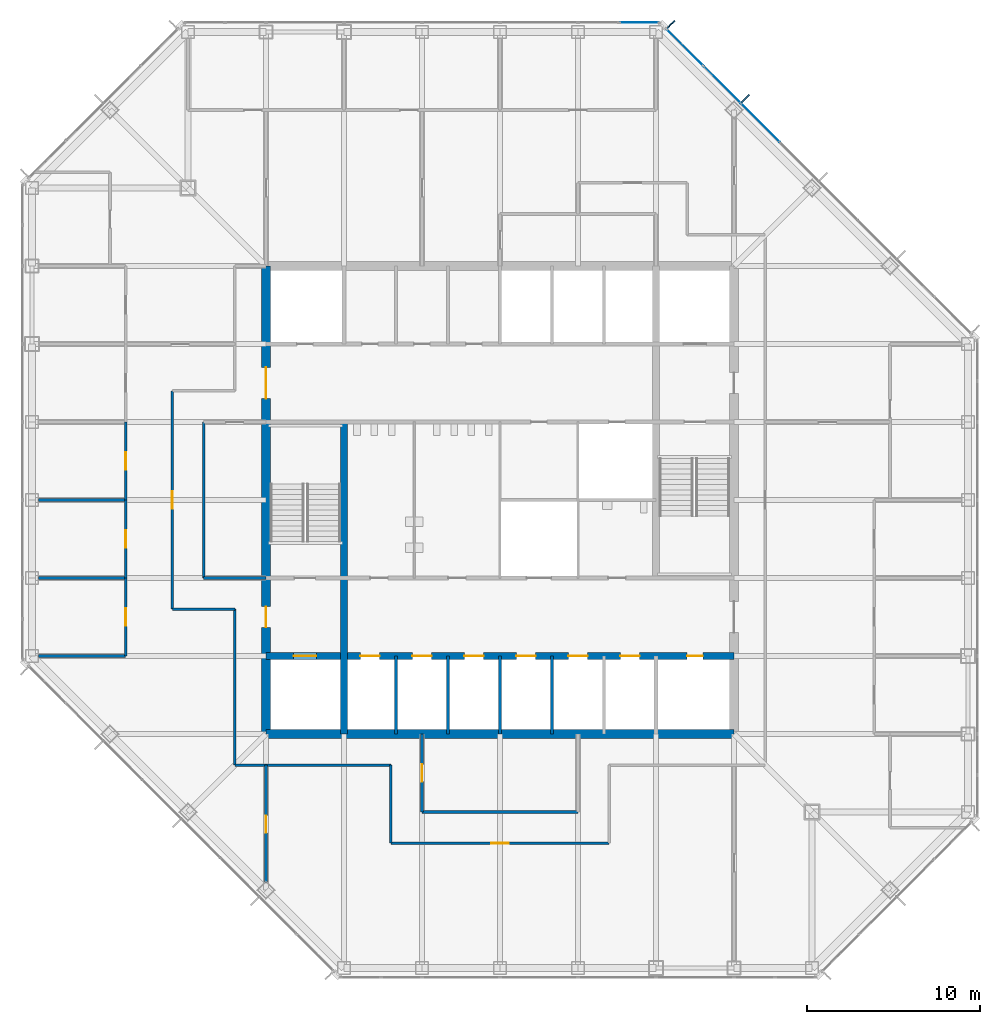
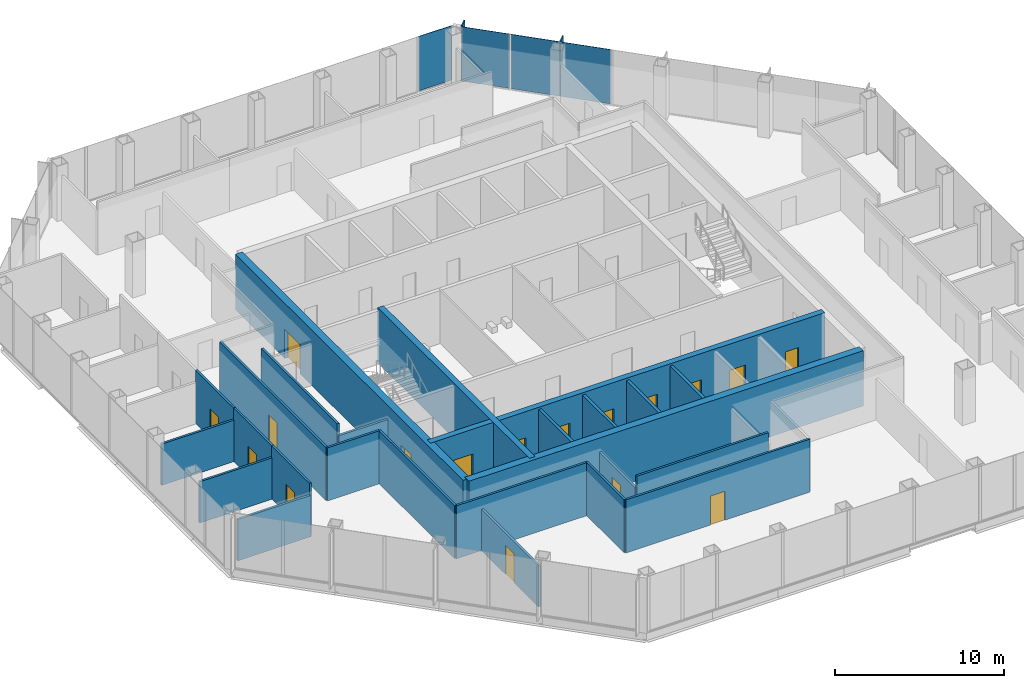
# One storey, part 8 of 13: 25 walls, 17 doors, 6 plates, 17 openings, 2 elements without a shape of their own.
"""IFC4 building model written with IfcOpenShell, lengths in metres."""

from ifc_helpers import new_model, si_unit, direction, frame, frame_2d, origin, origin_2d, place, context, subcontext, project, spatial, rectangle, extrude, material, layer, layer_set, type_object, element, fill, aggregate, save


model = new_model("IFC4")

# Units and contexts
model_context = context("Model", 3, precision=1e-05, world=origin(), true_north=direction((0.0, 1.0)))
body_context = subcontext(model_context, "Body", "Model", "MODEL_VIEW")
ifc_project = project(units=[si_unit("LENGTHUNIT", "METRE"), si_unit("AREAUNIT", "SQUARE_METRE"), si_unit("VOLUMEUNIT", "CUBIC_METRE"), si_unit("PLANEANGLEUNIT", "RADIAN"), si_unit("MASSUNIT", "GRAM", prefix="KILO")], contexts=[model_context])

# Site, building, storey
site_placement = place(None, origin())
site = spatial("IfcSite", under=ifc_project, at=site_placement, CompositionType="ELEMENT")
building_placement = place(site_placement, origin())
building = spatial("IfcBuilding", under=site, at=building_placement, Name="Corais Broadcast Tower", CompositionType="ELEMENT")
storey_placement = place(building_placement, frame((0.0, 0.0, 191.60009765625)))
storey = spatial("IfcBuildingStorey", under=building, at=storey_placement, Name="L44", CompositionType="ELEMENT", Elevation=191.60009765625)

# Curtain wall, plates
ifc_material_1 = material(Name="Aluminium and glass", Category="aluminium")
curtain_wall_type = type_object("IfcCurtainWallType", Name="Unitised fritted curtain wall CW2", PredefinedType="NOTDEFINED", material=ifc_material_1)
curtain_wall_1_placement = place(storey_placement, origin())
curtain_wall_1 = element("IfcCurtainWall", 1, at=curtain_wall_1_placement, inside=storey, type_object=curtain_wall_type, Name="CW2 curtain wall L44 5", PredefinedType="NOTDEFINED")
ifc_material_2 = material(Name="Ceramic-fritted laminated glass", Category="glass")
ifc_layer_1 = layer(ifc_material_2, 0.028076171875)
ifc_layer_set_1 = layer_set([ifc_layer_1], Name="Ceramic-fritted laminated glass")
plate_type_1 = type_object("IfcPlateType", Name="Fritted glass panel CW2", PredefinedType="CURTAIN_PANEL", material=ifc_layer_set_1)
plate_1_placement = place(storey_placement, frame((37.669677734375, 53.108154296875, 0.06494140625), z_axis=(0.0, 0.0, 1.0), x_axis=(0.707106781187, -0.707106781187, 0.0)))
plate_1 = element("IfcPlate", 2, at=plate_1_placement, type_object=plate_type_1, Name="CW2 panel 1", PredefinedType="CURTAIN_PANEL", context=body_context, shape_type="SweptSolid", body=[
    extrude(rectangle(XDim=2.9482421875, YDim=0.028076171875, at=origin_2d()), origin(), (0.0, 0.0, 1.0), 3.93505859375),
])
plate_2_placement = place(storey_placement, frame((42.013916015625, 48.763916015625, 0.06494140625), z_axis=(0.0, 0.0, 1.0), x_axis=(0.707106781187, -0.707106781187, 0.0)))
plate_2 = element("IfcPlate", 3, at=plate_2_placement, type_object=plate_type_1, Name="CW2 panel 3", PredefinedType="CURTAIN_PANEL", context=body_context, shape_type="SweptSolid", body=[
    extrude(rectangle(XDim=3.116943359375, YDim=0.028076171875, at=origin_2d()), origin(), (0.0, 0.0, 1.0), 3.93505859375),
])

# Curtain wall, plate
curtain_wall_2_placement = place(storey_placement, origin())
curtain_wall_2 = element("IfcCurtainWall", 4, at=curtain_wall_2_placement, inside=storey, type_object=curtain_wall_type, Name="CW2 curtain wall L44 4", PredefinedType="NOTDEFINED")
ifc_material_3 = material(Name="Clear laminated glass", Category="glass")
ifc_layer_2 = layer(ifc_material_3, 0.031982421875)
ifc_layer_set_2 = layer_set([ifc_layer_2], Name="Clear laminated glass")
plate_type_2 = type_object("IfcPlateType", Name="Operable glass panel CW2", PredefinedType="CURTAIN_PANEL", material=ifc_layer_set_2)
plate_3_placement = place(storey_placement, frame((35.029541015625, 54.550048828125, 0.06494140625), z_axis=(0.0, 0.0, 1.0), x_axis=(1.0, 0.0, 0.0)))
plate_3 = element("IfcPlate", 5, at=plate_3_placement, type_object=plate_type_2, Name="CW2 operable panel 8", PredefinedType="CURTAIN_PANEL", context=body_context, shape_type="SweptSolid", body=[
    extrude(rectangle(XDim=2.266357421875, YDim=0.031982421875, at=origin_2d()), origin(), (0.0, 0.0, 1.0), 3.93505859375),
])
aggregate(curtain_wall_2, [plate_3])

# Plate
plate_4_placement = place(storey_placement, frame((39.81201171875, 50.9658203125, 0.06494140625), z_axis=(0.0, 0.0, 1.0), x_axis=(0.707106781187, -0.707106781187, 0.0)))
plate_4 = element("IfcPlate", 6, at=plate_4_placement, type_object=plate_type_2, Name="CW2 operable panel 2", PredefinedType="CURTAIN_PANEL", context=body_context, shape_type="SweptSolid", body=[
    extrude(rectangle(XDim=2.98095703125, YDim=0.031982421875, at=origin_2d()), origin(), (0.0, 0.0, 1.0), 3.93505859375),
])

aggregate(curtain_wall_1, [plate_1, plate_4, plate_2])

# Plates
ifc_material_4 = material(Name="Granite stone cladding", Category="masonry")
ifc_layer_3 = layer(ifc_material_4, 0.080078125)
ifc_layer_set_3 = layer_set([ifc_layer_3], Name="Granite stone cladding")
plate_type_3 = type_object("IfcPlateType", Name="Stone screen fin 80x600", PredefinedType="USERDEFINED", material=ifc_layer_set_3)
for number, where, z_axis, x_axis, name in (
    (7, (36.8779296875, 54.447021484375, 0.0), (0.0, 0.0, 1.0), (0.707106781187, -0.707106781187, 0.0), "SF1 stone screen fin L44"),
    (8, (41.16259765625, 50.16259765625, 0.0), (0.0, 0.0, 1.0), (0.707106781187, -0.707106781187, 0.0), "SF1 stone screen fin L44"),
):
    element("IfcPlate", number, at=place(storey_placement, frame(where, z_axis=z_axis, x_axis=x_axis)), inside=storey, type_object=plate_type_3, Name=name, ObjectType="STONE SCREEN FIN", PredefinedType="USERDEFINED", context=body_context, shape_type="SweptSolid", body=[
        extrude(rectangle(XDim=0.080078125, YDim=0.60009765625, at=origin_2d()), origin(), (0.0, 0.0, 1.0), 4.0),
    ])

# Wall
ifc_material_5 = material(Name="Concrete C50/60", Category="concrete")
ifc_layer_4 = layer(ifc_material_5, 0.39990234375)
ifc_layer_set_4 = layer_set([ifc_layer_4], Name="Concrete C50/60")
wall_type_1 = type_object("IfcWallType", Name="Core wall 400", PredefinedType="SHEAR", material=ifc_layer_set_4)
wall_1_placement = place(storey_placement, frame((18.0, 13.5, 0.0), z_axis=(0.0, 0.0, 1.0), x_axis=(0.0, 1.0, 0.0)))
element("IfcWall", 9, at=wall_1_placement, inside=storey, type_object=wall_type_1, Name="CR400 core wall X18A L44", PredefinedType="SHEAR", context=body_context, shape_type="SweptSolid", body=[
    extrude(rectangle(XDim=18.0, YDim=0.39990234375, at=frame_2d((9.0, 0.0))), origin(), (0.0, 0.0, 1.0), 4.0),
])

# Wall, openings, doors
wall_2_placement = place(storey_placement, frame((13.5, 18.0, 0.0), z_axis=(0.0, 0.0, 1.0), x_axis=(1.0, 0.0, 0.0)))
wall_2 = element("IfcWall", 10, at=wall_2_placement, inside=storey, type_object=wall_type_1, Name="CR400 core wall Y18 L44", PredefinedType="SHEAR", context=body_context, shape_type="SweptSolid", body=[
    extrude(rectangle(XDim=27.0, YDim=0.39990234375, at=frame_2d((13.5, 0.0))), origin(), (0.0, 0.0, 1.0), 4.0),
])
opening_1_placement = place(wall_2_placement, frame((24.300048828125, 0.0, 0.0)))
opening_1 = element("IfcOpeningElement", 11, at=opening_1_placement, cuts=wall_2, Name="Opening RD1", PredefinedType="OPENING", context=body_context, shape_type="SweptSolid", body=[
    extrude(rectangle(XDim=0.89990234375, YDim=2.10009765625, at=frame_2d((0.449951171875, 1.050048828125))), frame((0.0, 0.2099609375, 0.0), z_axis=(0.0, -1.0, 0.0), x_axis=(1.0, 0.0, 0.0)), (0.0, 0.0, 1.0), 0.419921875),
])
opening_2_placement = place(wall_2_placement, frame((5.449951171875, 0.0, 0.0)))
opening_2 = element("IfcOpeningElement", 12, at=opening_2_placement, cuts=wall_2, Name="Opening LD1", PredefinedType="OPENING", context=body_context, shape_type="SweptSolid", body=[
    extrude(rectangle(XDim=1.10009765625, YDim=2.10009765625, at=frame_2d((0.550048828125, 1.050048828125))), frame((0.0, 0.2099609375, 0.0), z_axis=(0.0, -1.0, 0.0), x_axis=(1.0, 0.0, 0.0)), (0.0, 0.0, 1.0), 0.419921875),
])
opening_3_placement = place(wall_2_placement, frame((8.449951171875, 0.0, 0.0)))
opening_3 = element("IfcOpeningElement", 13, at=opening_3_placement, cuts=wall_2, Name="Opening LD1", PredefinedType="OPENING", context=body_context, shape_type="SweptSolid", body=[
    extrude(rectangle(XDim=1.10009765625, YDim=2.10009765625, at=frame_2d((0.550048828125, 1.050048828125))), frame((0.0, 0.2099609375, 0.0), z_axis=(0.0, -1.0, 0.0), x_axis=(1.0, 0.0, 0.0)), (0.0, 0.0, 1.0), 0.419921875),
])
opening_4_placement = place(wall_2_placement, frame((11.449951171875, 0.0, 0.0)))
opening_4 = element("IfcOpeningElement", 14, at=opening_4_placement, cuts=wall_2, Name="Opening LD1", PredefinedType="OPENING", context=body_context, shape_type="SweptSolid", body=[
    extrude(rectangle(XDim=1.10009765625, YDim=2.10009765625, at=frame_2d((0.550048828125, 1.050048828125))), frame((0.0, 0.2099609375, 0.0), z_axis=(0.0, -1.0, 0.0), x_axis=(1.0, 0.0, 0.0)), (0.0, 0.0, 1.0), 0.419921875),
])
opening_5_placement = place(wall_2_placement, frame((14.449951171875, 0.0, 0.0)))
opening_5 = element("IfcOpeningElement", 15, at=opening_5_placement, cuts=wall_2, Name="Opening LD1", PredefinedType="OPENING", context=body_context, shape_type="SweptSolid", body=[
    extrude(rectangle(XDim=1.10009765625, YDim=2.10009765625, at=frame_2d((0.550048828125, 1.050048828125))), frame((0.0, 0.2099609375, 0.0), z_axis=(0.0, -1.0, 0.0), x_axis=(1.0, 0.0, 0.0)), (0.0, 0.0, 1.0), 0.419921875),
])
opening_6_placement = place(wall_2_placement, frame((17.449951171875, 0.0, 0.0)))
opening_6 = element("IfcOpeningElement", 16, at=opening_6_placement, cuts=wall_2, Name="Opening LD1", PredefinedType="OPENING", context=body_context, shape_type="SweptSolid", body=[
    extrude(rectangle(XDim=1.10009765625, YDim=2.10009765625, at=frame_2d((0.550048828125, 1.050048828125))), frame((0.0, 0.2099609375, 0.0), z_axis=(0.0, -1.0, 0.0), x_axis=(1.0, 0.0, 0.0)), (0.0, 0.0, 1.0), 0.419921875),
])
opening_7_placement = place(wall_2_placement, frame((20.449951171875, 0.0, 0.0)))
opening_7 = element("IfcOpeningElement", 17, at=opening_7_placement, cuts=wall_2, Name="Opening LD1", PredefinedType="OPENING", context=body_context, shape_type="SweptSolid", body=[
    extrude(rectangle(XDim=1.10009765625, YDim=2.10009765625, at=frame_2d((0.550048828125, 1.050048828125))), frame((0.0, 0.2099609375, 0.0), z_axis=(0.0, -1.0, 0.0), x_axis=(1.0, 0.0, 0.0)), (0.0, 0.0, 1.0), 0.419921875),
])
opening_8_placement = place(wall_2_placement, frame((1.60009765625, 0.0, 0.0)))
opening_8 = element("IfcOpeningElement", 18, at=opening_8_placement, cuts=wall_2, Name="Opening LD2", PredefinedType="OPENING", context=body_context, shape_type="SweptSolid", body=[
    extrude(rectangle(XDim=1.300048828125, YDim=2.199951171875, at=frame_2d((0.64990234375, 1.10009765625))), frame((0.0, 0.2099609375, 0.0), z_axis=(0.0, -1.0, 0.0), x_axis=(1.0, 0.0, 0.0)), (0.0, 0.0, 1.0), 0.419921875),
])
ifc_material_6 = material(Name="Stainless steel lift door", Category="steel")
door_type_1 = type_object("IfcDoorType", Name="Lift landing door 1100x2100", OperationType="SLIDING_TO_LEFT", PredefinedType="DOOR", material=ifc_material_6)
door_1_placement = place(opening_2_placement, origin())
door_1 = element("IfcDoor", 19, at=door_1_placement, inside=storey, type_object=door_type_1, Name="LD1 PM1 landing door L44", OperationType="SLIDING_TO_LEFT", OverallHeight=2.10009765625, OverallWidth=1.10009765625, PredefinedType="DOOR", context=body_context, shape_type="SweptSolid", body=[
    extrude(rectangle(XDim=1.10009765625, YDim=2.10009765625, at=frame_2d((0.550048828125, 1.050048828125))), frame((0.0, 0.02490234375, 0.0), z_axis=(0.0, -1.0, 0.0), x_axis=(1.0, 0.0, 0.0)), (0.0, 0.0, 1.0), 0.050048828125),
])
fill(opening_2, door_1)
door_2_placement = place(opening_3_placement, origin())
door_2 = element("IfcDoor", 20, at=door_2_placement, inside=storey, type_object=door_type_1, Name="LD1 PM2 landing door L44", OperationType="SLIDING_TO_LEFT", OverallHeight=2.10009765625, OverallWidth=1.10009765625, PredefinedType="DOOR", context=body_context, shape_type="SweptSolid", body=[
    extrude(rectangle(XDim=1.10009765625, YDim=2.10009765625, at=frame_2d((0.550048828125, 1.050048828125))), frame((0.0, 0.02490234375, 0.0), z_axis=(0.0, -1.0, 0.0), x_axis=(1.0, 0.0, 0.0)), (0.0, 0.0, 1.0), 0.050048828125),
])
fill(opening_3, door_2)
door_3_placement = place(opening_4_placement, origin())
door_3 = element("IfcDoor", 21, at=door_3_placement, inside=storey, type_object=door_type_1, Name="LD1 PM3 landing door L44", OperationType="SLIDING_TO_LEFT", OverallHeight=2.10009765625, OverallWidth=1.10009765625, PredefinedType="DOOR", context=body_context, shape_type="SweptSolid", body=[
    extrude(rectangle(XDim=1.10009765625, YDim=2.10009765625, at=frame_2d((0.550048828125, 1.050048828125))), frame((0.0, 0.02490234375, 0.0), z_axis=(0.0, -1.0, 0.0), x_axis=(1.0, 0.0, 0.0)), (0.0, 0.0, 1.0), 0.050048828125),
])
fill(opening_4, door_3)
door_4_placement = place(opening_5_placement, origin())
door_4 = element("IfcDoor", 22, at=door_4_placement, inside=storey, type_object=door_type_1, Name="LD1 PM4 landing door L44", OperationType="SLIDING_TO_LEFT", OverallHeight=2.10009765625, OverallWidth=1.10009765625, PredefinedType="DOOR", context=body_context, shape_type="SweptSolid", body=[
    extrude(rectangle(XDim=1.10009765625, YDim=2.10009765625, at=frame_2d((0.550048828125, 1.050048828125))), frame((0.0, 0.02490234375, 0.0), z_axis=(0.0, -1.0, 0.0), x_axis=(1.0, 0.0, 0.0)), (0.0, 0.0, 1.0), 0.050048828125),
])
fill(opening_5, door_4)
door_5_placement = place(opening_6_placement, origin())
door_5 = element("IfcDoor", 23, at=door_5_placement, inside=storey, type_object=door_type_1, Name="LD1 PM5 landing door L44", OperationType="SLIDING_TO_LEFT", OverallHeight=2.10009765625, OverallWidth=1.10009765625, PredefinedType="DOOR", context=body_context, shape_type="SweptSolid", body=[
    extrude(rectangle(XDim=1.10009765625, YDim=2.10009765625, at=frame_2d((0.550048828125, 1.050048828125))), frame((0.0, 0.02490234375, 0.0), z_axis=(0.0, -1.0, 0.0), x_axis=(1.0, 0.0, 0.0)), (0.0, 0.0, 1.0), 0.050048828125),
])
fill(opening_6, door_5)
door_6_placement = place(opening_7_placement, origin())
door_6 = element("IfcDoor", 24, at=door_6_placement, inside=storey, type_object=door_type_1, Name="LD1 PM6 landing door L44", OperationType="SLIDING_TO_LEFT", OverallHeight=2.10009765625, OverallWidth=1.10009765625, PredefinedType="DOOR", context=body_context, shape_type="SweptSolid", body=[
    extrude(rectangle(XDim=1.10009765625, YDim=2.10009765625, at=frame_2d((0.550048828125, 1.050048828125))), frame((0.0, 0.02490234375, 0.0), z_axis=(0.0, -1.0, 0.0), x_axis=(1.0, 0.0, 0.0)), (0.0, 0.0, 1.0), 0.050048828125),
])
fill(opening_7, door_6)
ifc_material_7 = material(Name="Stainless steel lift door", Category="steel")
door_type_2 = type_object("IfcDoorType", Name="Lift landing door 1300x2200", OperationType="SLIDING_TO_LEFT", PredefinedType="DOOR", material=ifc_material_7)
door_7_placement = place(opening_8_placement, origin())
door_7 = element("IfcDoor", 25, at=door_7_placement, inside=storey, type_object=door_type_2, Name="LD2 FL1 landing door L44", OperationType="SLIDING_TO_LEFT", OverallHeight=2.199951171875, OverallWidth=1.300048828125, PredefinedType="DOOR", context=body_context, shape_type="SweptSolid", body=[
    extrude(rectangle(XDim=1.300048828125, YDim=2.199951171875, at=frame_2d((0.64990234375, 1.10009765625))), frame((0.0, 0.02490234375, 0.0), z_axis=(0.0, -1.0, 0.0), x_axis=(1.0, 0.0, 0.0)), (0.0, 0.0, 1.0), 0.050048828125),
])
fill(opening_8, door_7)
ifc_material_8 = material(Name="Steel fire door", Category="steel")
door_type_3 = type_object("IfcDoorType", Name="Riser door 900x2100", OperationType="SINGLE_SWING_LEFT", PredefinedType="DOOR", material=ifc_material_8)
door_8_placement = place(opening_1_placement, origin())
door_8 = element("IfcDoor", 26, at=door_8_placement, inside=storey, type_object=door_type_3, Name="RD1 riser door L44", OperationType="SINGLE_SWING_RIGHT", OverallHeight=2.10009765625, OverallWidth=0.89990234375, PredefinedType="DOOR", context=body_context, shape_type="SweptSolid", body=[
    extrude(rectangle(XDim=0.89990234375, YDim=2.10009765625, at=frame_2d((0.449951171875, 1.050048828125))), frame((0.0, 0.02490234375, 0.0), z_axis=(0.0, -1.0, 0.0), x_axis=(1.0, 0.0, 0.0)), (0.0, 0.0, 1.0), 0.050048828125),
])
fill(opening_1, door_8)

# Wall
ifc_material_9 = material(Name="Concrete C50/60", Category="concrete")
ifc_layer_5 = layer(ifc_material_9, 0.5)
ifc_layer_set_5 = layer_set([ifc_layer_5], Name="Concrete C50/60")
wall_type_2 = type_object("IfcWallType", Name="Core wall 500", PredefinedType="SHEAR", material=ifc_layer_set_5)
wall_3_placement = place(storey_placement, frame((13.5, 13.5, 0.0), z_axis=(0.0, 0.0, 1.0), x_axis=(1.0, 0.0, 0.0)))
element("IfcWall", 27, at=wall_3_placement, inside=storey, type_object=wall_type_2, Name="CR500 core wall S L44", PredefinedType="SHEAR", context=body_context, shape_type="SweptSolid", body=[
    extrude(rectangle(XDim=27.0, YDim=0.5, at=frame_2d((13.5, 0.0))), origin(), (0.0, 0.0, 1.0), 4.0),
])

# Wall, openings, doors
wall_4_placement = place(storey_placement, frame((13.5, 40.5, 0.0), z_axis=(0.0, 0.0, 1.0), x_axis=(0.0, -1.0, 0.0)))
wall_4 = element("IfcWall", 28, at=wall_4_placement, inside=storey, type_object=wall_type_2, Name="CR500 core wall W L44", PredefinedType="SHEAR", context=body_context, shape_type="SweptSolid", body=[
    extrude(rectangle(XDim=27.0, YDim=0.5, at=frame_2d((13.5, 0.0))), origin(), (0.0, 0.0, 1.0), 4.0),
])
opening_9_placement = place(wall_4_placement, frame((19.64990234375, 0.0, 0.0)))
opening_9 = element("IfcOpeningElement", 29, at=opening_9_placement, cuts=wall_4, Name="Opening FD1", PredefinedType="OPENING", context=body_context, shape_type="SweptSolid", body=[
    extrude(rectangle(XDim=1.199951171875, YDim=2.10009765625, at=frame_2d((0.60009765625, 1.050048828125))), frame((0.0, 0.260009765625, 0.0), z_axis=(0.0, -1.0, 0.0), x_axis=(1.0, 0.0, 0.0)), (0.0, 0.0, 1.0), 0.52001953125),
])
opening_10_placement = place(wall_4_placement, frame((5.85009765625, 0.0, 0.0)))
opening_10 = element("IfcOpeningElement", 30, at=opening_10_placement, cuts=wall_4, Name="Opening FD2", PredefinedType="OPENING", context=body_context, shape_type="SweptSolid", body=[
    extrude(rectangle(XDim=1.800048828125, YDim=2.10009765625, at=frame_2d((0.89990234375, 1.050048828125))), frame((0.0, 0.260009765625, 0.0), z_axis=(0.0, -1.0, 0.0), x_axis=(1.0, 0.0, 0.0)), (0.0, 0.0, 1.0), 0.52001953125),
])
ifc_material_10 = material(Name="Steel fire door", Category="steel")
door_type_4 = type_object("IfcDoorType", Name="Fire door 1200x2100", OperationType="SINGLE_SWING_LEFT", PredefinedType="DOOR", material=ifc_material_10)
door_9_placement = place(opening_9_placement, origin())
door_9 = element("IfcDoor", 31, at=door_9_placement, inside=storey, type_object=door_type_4, Name="FD1 fire lobby A door L44", OperationType="SINGLE_SWING_RIGHT", OverallHeight=2.10009765625, OverallWidth=1.199951171875, PredefinedType="DOOR", context=body_context, shape_type="SweptSolid", body=[
    extrude(rectangle(XDim=1.199951171875, YDim=2.10009765625, at=frame_2d((0.60009765625, 1.050048828125))), frame((0.0, 0.02490234375, 0.0), z_axis=(0.0, -1.0, 0.0), x_axis=(1.0, 0.0, 0.0)), (0.0, 0.0, 1.0), 0.050048828125),
])
fill(opening_9, door_9)
ifc_material_11 = material(Name="Steel fire door", Category="steel")
door_type_5 = type_object("IfcDoorType", Name="Fire door pair 1800x2100", OperationType="DOUBLE_DOOR_SINGLE_SWING", PredefinedType="DOOR", material=ifc_material_11)
door_10_placement = place(opening_10_placement, origin())
door_10 = element("IfcDoor", 32, at=door_10_placement, inside=storey, type_object=door_type_5, Name="FD2 lift lobby door L44", OperationType="SINGLE_SWING_LEFT", OverallHeight=2.10009765625, OverallWidth=1.800048828125, PredefinedType="DOOR", context=body_context, shape_type="SweptSolid", body=[
    extrude(rectangle(XDim=1.800048828125, YDim=2.10009765625, at=frame_2d((0.89990234375, 1.050048828125))), frame((0.0, 0.02490234375, 0.0), z_axis=(0.0, -1.0, 0.0), x_axis=(1.0, 0.0, 0.0)), (0.0, 0.0, 1.0), 0.050048828125),
])
fill(opening_10, door_10)

# Wall, opening, door
ifc_material_12 = material(Name="Gypsum board on steel studs", Category="steel")
ifc_layer_6 = layer(ifc_material_12, 0.14990234375)
ifc_layer_set_6 = layer_set([ifc_layer_6], Name="Gypsum board on steel studs")
wall_type_3 = type_object("IfcWallType", Name="Partition 150", PredefinedType="PARTITIONING", material=ifc_layer_set_6)
wall_5_placement = place(storey_placement, frame((8.10009765625, 33.300048828125, 0.0), z_axis=(0.0, 0.0, 1.0), x_axis=(0.0, -1.0, 0.0)))
wall_5 = element("IfcWall", 33, at=wall_5_placement, inside=storey, type_object=wall_type_3, Name="IW3 corridor wall L44", PredefinedType="PARTITIONING", context=body_context, shape_type="SweptSolid", body=[
    extrude(rectangle(XDim=12.60009765625, YDim=0.14990234375, at=frame_2d((6.300048828125, 0.0))), origin(), (0.0, 0.0, 1.0), 3.83984375),
])
opening_11_placement = place(wall_5_placement, frame((5.800048828125, 0.0, 0.0)))
opening_11 = element("IfcOpeningElement", 34, at=opening_11_placement, cuts=wall_5, Name="Opening D1", PredefinedType="OPENING", context=body_context, shape_type="SweptSolid", body=[
    extrude(rectangle(XDim=1.0, YDim=2.10009765625, at=frame_2d((0.5, 1.050048828125))), frame((0.0, 0.0849609375, 0.0), z_axis=(0.0, -1.0, 0.0), x_axis=(1.0, 0.0, 0.0)), (0.0, 0.0, 1.0), 0.169921875),
])
ifc_material_13 = material(Name="Timber door", Category="wood")
door_type_6 = type_object("IfcDoorType", Name="Single door 1000x2100", OperationType="SINGLE_SWING_LEFT", PredefinedType="DOOR", material=ifc_material_13)
door_11_placement = place(opening_11_placement, origin())
door_11 = element("IfcDoor", 35, at=door_11_placement, inside=storey, type_object=door_type_6, Name="D1 workplace door L44", OperationType="SINGLE_SWING_LEFT", OverallHeight=2.10009765625, OverallWidth=1.0, PredefinedType="DOOR", context=body_context, shape_type="SweptSolid", body=[
    extrude(rectangle(XDim=1.0, YDim=2.10009765625, at=frame_2d((0.5, 1.050048828125))), frame((0.0, 0.02490234375, 0.0), z_axis=(0.0, -1.0, 0.0), x_axis=(1.0, 0.0, 0.0)), (0.0, 0.0, 1.0), 0.050048828125),
])
fill(opening_11, door_11)

wall_6_placement = place(storey_placement, frame((20.699951171875, 7.199951171875, 0.0), z_axis=(0.0, 0.0, 1.0), x_axis=(1.0, 0.0, 0.0)))
wall_6 = element("IfcWall", 36, at=wall_6_placement, inside=storey, type_object=wall_type_3, Name="IW3 corridor wall L44", PredefinedType="PARTITIONING", context=body_context, shape_type="SweptSolid", body=[
    extrude(rectangle(XDim=12.60009765625, YDim=0.14990234375, at=frame_2d((6.300048828125, 0.0))), origin(), (0.0, 0.0, 1.0), 3.83984375),
])
opening_12_placement = place(wall_6_placement, frame((5.800048828125, 0.0, 0.0)))
opening_12 = element("IfcOpeningElement", 37, at=opening_12_placement, cuts=wall_6, Name="Opening D1", PredefinedType="OPENING", context=body_context, shape_type="SweptSolid", body=[
    extrude(rectangle(XDim=1.0, YDim=2.10009765625, at=frame_2d((0.5, 1.050048828125))), frame((0.0, 0.0849609375, 0.0), z_axis=(0.0, -1.0, 0.0), x_axis=(1.0, 0.0, 0.0)), (0.0, 0.0, 1.0), 0.169921875),
])
door_12_placement = place(opening_12_placement, origin())
door_12 = element("IfcDoor", 38, at=door_12_placement, inside=storey, type_object=door_type_6, Name="D1 workplace door L44", OperationType="SINGLE_SWING_LEFT", OverallHeight=2.10009765625, OverallWidth=1.0, PredefinedType="DOOR", context=body_context, shape_type="SweptSolid", body=[
    extrude(rectangle(XDim=1.0, YDim=2.10009765625, at=frame_2d((0.5, 1.050048828125))), frame((0.0, 0.02490234375, 0.0), z_axis=(0.0, -1.0, 0.0), x_axis=(1.0, 0.0, 0.0)), (0.0, 0.0, 1.0), 0.050048828125),
])
fill(opening_12, door_12)

# Walls
for number, where, z_axis, x_axis, name in (
    (39, (11.699951171875, 11.699951171875, 0.0), (0.0, 0.0, 1.0), (1.0, 0.0, 0.0), "IW3 corridor wall L44"),
    (40, (11.699951171875, 20.699951171875, 0.0), (0.0, 0.0, 1.0), (0.0, -1.0, 0.0), "IW3 corridor wall L44"),
):
    element("IfcWall", number, at=place(storey_placement, frame(where, z_axis=z_axis, x_axis=x_axis)), inside=storey, type_object=wall_type_3, Name=name, PredefinedType="PARTITIONING", context=body_context, shape_type="SweptSolid", body=[
        extrude(rectangle(XDim=9.0, YDim=0.14990234375, at=frame_2d((4.5, 0.0))), origin(), (0.0, 0.0, 1.0), 3.83984375),
    ])
wall_7_placement = place(storey_placement, frame((20.699951171875, 11.699951171875, 0.0), z_axis=(0.0, 0.0, 1.0), x_axis=(0.0, -1.0, 0.0)))
element("IfcWall", 41, at=wall_7_placement, inside=storey, type_object=wall_type_3, Name="IW3 corridor wall L44", PredefinedType="PARTITIONING", context=body_context, shape_type="SweptSolid", body=[
    extrude(rectangle(XDim=4.5, YDim=0.14990234375, at=frame_2d((2.25, 0.0))), origin(), (0.0, 0.0, 1.0), 3.83984375),
])
wall_8_placement = place(storey_placement, frame((8.10009765625, 20.699951171875, 0.0), z_axis=(0.0, 0.0, 1.0), x_axis=(1.0, 0.0, 0.0)))
element("IfcWall", 42, at=wall_8_placement, inside=storey, type_object=wall_type_3, Name="IW3 corridor wall L44", PredefinedType="PARTITIONING", context=body_context, shape_type="SweptSolid", body=[
    extrude(rectangle(XDim=3.599853515625, YDim=0.14990234375, at=frame_2d((1.7998046875, 0.0))), origin(), (0.0, 0.0, 1.0), 3.83984375),
])
wall_9_placement = place(storey_placement, frame((9.89990234375, 22.5, 0.0), z_axis=(0.0, 0.0, 1.0), x_axis=(1.0, 0.0, 0.0)))
element("IfcWall", 43, at=wall_9_placement, inside=storey, type_object=wall_type_3, Name="IW3 partition L44", PredefinedType="PARTITIONING", context=body_context, shape_type="SweptSolid", body=[
    extrude(rectangle(XDim=3.60009765625, YDim=0.14990234375, at=frame_2d((1.800048828125, 0.0))), origin(), (0.0, 0.0, 1.0), 2.989013671875),
])
for number, where, z_axis, x_axis, name in (
    (44, (9.89990234375, 31.5, 0.0), (0.0, 0.0, 1.0), (0.0, -1.0, 0.0), "IW3 partition L44"),
    (45, (22.5, 9.0, 0.0), (0.0, 0.0, 1.0), (1.0, 0.0, 0.0), "IW3 partition L44"),
):
    element("IfcWall", number, at=place(storey_placement, frame(where, z_axis=z_axis, x_axis=x_axis)), inside=storey, type_object=wall_type_3, Name=name, PredefinedType="PARTITIONING", context=body_context, shape_type="SweptSolid", body=[
        extrude(rectangle(XDim=9.0, YDim=0.14990234375, at=frame_2d((4.5, 0.0))), origin(), (0.0, 0.0, 1.0), 3.83984375),
    ])

# Wall, opening, door
wall_10_placement = place(storey_placement, frame((22.5, 13.5, 0.0), z_axis=(0.0, 0.0, 1.0), x_axis=(0.0, -1.0, 0.0)))
wall_10 = element("IfcWall", 46, at=wall_10_placement, inside=storey, type_object=wall_type_3, Name="IW3 partition L44", PredefinedType="PARTITIONING", context=body_context, shape_type="SweptSolid", body=[
    extrude(rectangle(XDim=4.5, YDim=0.14990234375, at=frame_2d((2.25, 0.0))), origin(), (0.0, 0.0, 1.0), 2.989013671875),
])
opening_13_placement = place(wall_10_placement, frame((1.75, 0.0, 0.0)))
opening_13 = element("IfcOpeningElement", 47, at=opening_13_placement, cuts=wall_10, Name="Opening D1", PredefinedType="OPENING", context=body_context, shape_type="SweptSolid", body=[
    extrude(rectangle(XDim=1.0, YDim=2.10009765625, at=frame_2d((0.5, 1.050048828125))), frame((0.0, 0.0849609375, 0.0), z_axis=(0.0, -1.0, 0.0), x_axis=(1.0, 0.0, 0.0)), (0.0, 0.0, 1.0), 0.169921875),
])
door_13_placement = place(opening_13_placement, origin())
door_13 = element("IfcDoor", 48, at=door_13_placement, inside=storey, type_object=door_type_6, Name="D1 Meeting room door", OperationType="SINGLE_SWING_LEFT", OverallHeight=2.10009765625, OverallWidth=1.0, PredefinedType="DOOR", context=body_context, shape_type="SweptSolid", body=[
    extrude(rectangle(XDim=1.0, YDim=2.10009765625, at=frame_2d((0.5, 1.050048828125))), frame((0.0, 0.02490234375, 0.0), z_axis=(0.0, -1.0, 0.0), x_axis=(1.0, 0.0, 0.0)), (0.0, 0.0, 1.0), 0.050048828125),
])
fill(opening_13, door_13)

# Wall
wall_11_placement = place(storey_placement, frame((0.385009765625, 18.0, 0.0), z_axis=(0.0, 0.0, 1.0), x_axis=(1.0, 0.0, 0.0)))
element("IfcWall", 49, at=wall_11_placement, inside=storey, type_object=wall_type_3, Name="IW3 partition L44", PredefinedType="PARTITIONING", context=body_context, shape_type="SweptSolid", body=[
    extrude(rectangle(XDim=5.014892578125, YDim=0.14990234375, at=frame_2d((2.50732421875, 0.0))), origin(), (0.0, 0.0, 1.0), 2.989013671875),
])

# Wall, opening, door
wall_12_placement = place(storey_placement, frame((5.39990234375, 18.0, 0.0), z_axis=(0.0, 0.0, 1.0), x_axis=(0.0, 1.0, 0.0)))
wall_12 = element("IfcWall", 50, at=wall_12_placement, inside=storey, type_object=wall_type_3, Name="IW3 partition L44", PredefinedType="PARTITIONING", context=body_context, shape_type="SweptSolid", body=[
    extrude(rectangle(XDim=4.5, YDim=0.14990234375, at=frame_2d((2.25, 0.0))), origin(), (0.0, 0.0, 1.0), 3.83984375),
])
opening_14_placement = place(wall_12_placement, frame((1.75, 0.0, 0.0)))
opening_14 = element("IfcOpeningElement", 51, at=opening_14_placement, cuts=wall_12, Name="Opening D1", PredefinedType="OPENING", context=body_context, shape_type="SweptSolid", body=[
    extrude(rectangle(XDim=1.0, YDim=2.10009765625, at=frame_2d((0.5, 1.050048828125))), frame((0.0, 0.0849609375, 0.0), z_axis=(0.0, -1.0, 0.0), x_axis=(1.0, 0.0, 0.0)), (0.0, 0.0, 1.0), 0.169921875),
])
door_14_placement = place(opening_14_placement, origin())
door_14 = element("IfcDoor", 52, at=door_14_placement, inside=storey, type_object=door_type_6, Name="D1 Treatment room door", OperationType="SINGLE_SWING_LEFT", OverallHeight=2.10009765625, OverallWidth=1.0, PredefinedType="DOOR", context=body_context, shape_type="SweptSolid", body=[
    extrude(rectangle(XDim=1.0, YDim=2.10009765625, at=frame_2d((0.5, 1.050048828125))), frame((0.0, 0.02490234375, 0.0), z_axis=(0.0, -1.0, 0.0), x_axis=(1.0, 0.0, 0.0)), (0.0, 0.0, 1.0), 0.050048828125),
])
fill(opening_14, door_14)

# Wall
wall_13_placement = place(storey_placement, frame((5.39990234375, 22.5, 0.0), z_axis=(0.0, 0.0, 1.0), x_axis=(-1.0, 0.0, 0.0)))
element("IfcWall", 53, at=wall_13_placement, inside=storey, type_object=wall_type_3, Name="IW3 partition L44", PredefinedType="PARTITIONING", context=body_context, shape_type="SweptSolid", body=[
    extrude(rectangle(XDim=5.014892578125, YDim=0.14990234375, at=frame_2d((2.50732421875, 0.0))), origin(), (0.0, 0.0, 1.0), 2.989013671875),
])

# Wall, opening, door
wall_14_placement = place(storey_placement, frame((5.39990234375, 22.5, 0.0), z_axis=(0.0, 0.0, 1.0), x_axis=(0.0, 1.0, 0.0)))
wall_14 = element("IfcWall", 54, at=wall_14_placement, inside=storey, type_object=wall_type_3, Name="IW3 partition L44", PredefinedType="PARTITIONING", context=body_context, shape_type="SweptSolid", body=[
    extrude(rectangle(XDim=4.5, YDim=0.14990234375, at=frame_2d((2.25, 0.0))), origin(), (0.0, 0.0, 1.0), 3.83984375),
])
opening_15_placement = place(wall_14_placement, frame((1.75, 0.0, 0.0)))
opening_15 = element("IfcOpeningElement", 55, at=opening_15_placement, cuts=wall_14, Name="Opening D1", PredefinedType="OPENING", context=body_context, shape_type="SweptSolid", body=[
    extrude(rectangle(XDim=1.0, YDim=2.10009765625, at=frame_2d((0.5, 1.050048828125))), frame((0.0, 0.0849609375, 0.0), z_axis=(0.0, -1.0, 0.0), x_axis=(1.0, 0.0, 0.0)), (0.0, 0.0, 1.0), 0.169921875),
])
door_15_placement = place(opening_15_placement, origin())
door_15 = element("IfcDoor", 56, at=door_15_placement, inside=storey, type_object=door_type_6, Name="D1 Treatment room door", OperationType="SINGLE_SWING_LEFT", OverallHeight=2.10009765625, OverallWidth=1.0, PredefinedType="DOOR", context=body_context, shape_type="SweptSolid", body=[
    extrude(rectangle(XDim=1.0, YDim=2.10009765625, at=frame_2d((0.5, 1.050048828125))), frame((0.0, 0.02490234375, 0.0), z_axis=(0.0, -1.0, 0.0), x_axis=(1.0, 0.0, 0.0)), (0.0, 0.0, 1.0), 0.050048828125),
])
fill(opening_15, door_15)

# Wall
wall_15_placement = place(storey_placement, frame((5.39990234375, 27.0, 0.0), z_axis=(0.0, 0.0, 1.0), x_axis=(-1.0, 0.0, 0.0)))
element("IfcWall", 57, at=wall_15_placement, inside=storey, type_object=wall_type_3, Name="IW3 partition L44", PredefinedType="PARTITIONING", context=body_context, shape_type="SweptSolid", body=[
    extrude(rectangle(XDim=5.014892578125, YDim=0.14990234375, at=frame_2d((2.50732421875, 0.0))), origin(), (0.0, 0.0, 1.0), 2.989013671875),
])

# Wall, opening, door
wall_16_placement = place(storey_placement, frame((5.39990234375, 27.0, 0.0), z_axis=(0.0, 0.0, 1.0), x_axis=(0.0, 1.0, 0.0)))
wall_16 = element("IfcWall", 58, at=wall_16_placement, inside=storey, type_object=wall_type_3, Name="IW3 partition L44", PredefinedType="PARTITIONING", context=body_context, shape_type="SweptSolid", body=[
    extrude(rectangle(XDim=4.5, YDim=0.14990234375, at=frame_2d((2.25, 0.0))), origin(), (0.0, 0.0, 1.0), 3.83984375),
])
opening_16_placement = place(wall_16_placement, frame((1.75, 0.0, 0.0)))
opening_16 = element("IfcOpeningElement", 59, at=opening_16_placement, cuts=wall_16, Name="Opening D1", PredefinedType="OPENING", context=body_context, shape_type="SweptSolid", body=[
    extrude(rectangle(XDim=1.0, YDim=2.10009765625, at=frame_2d((0.5, 1.050048828125))), frame((0.0, 0.0849609375, 0.0), z_axis=(0.0, -1.0, 0.0), x_axis=(1.0, 0.0, 0.0)), (0.0, 0.0, 1.0), 0.169921875),
])
door_16_placement = place(opening_16_placement, origin())
door_16 = element("IfcDoor", 60, at=door_16_placement, inside=storey, type_object=door_type_6, Name="D1 Treatment room door", OperationType="SINGLE_SWING_LEFT", OverallHeight=2.10009765625, OverallWidth=1.0, PredefinedType="DOOR", context=body_context, shape_type="SweptSolid", body=[
    extrude(rectangle(XDim=1.0, YDim=2.10009765625, at=frame_2d((0.5, 1.050048828125))), frame((0.0, 0.02490234375, 0.0), z_axis=(0.0, -1.0, 0.0), x_axis=(1.0, 0.0, 0.0)), (0.0, 0.0, 1.0), 0.050048828125),
])
fill(opening_16, door_16)

wall_17_placement = place(storey_placement, frame((13.5, 4.89501953125, 0.0), z_axis=(0.0, 0.0, 1.0), x_axis=(0.0, 1.0, 0.0)))
wall_17 = element("IfcWall", 61, at=wall_17_placement, inside=storey, type_object=wall_type_3, Name="IW3 partition L44", PredefinedType="PARTITIONING", context=body_context, shape_type="SweptSolid", body=[
    extrude(rectangle(XDim=6.804931640625, YDim=0.14990234375, at=frame_2d((3.40234375, 0.0))), origin(), (0.0, 0.0, 1.0), 2.989013671875),
])
opening_17_placement = place(wall_17_placement, frame((2.902587890625, 0.0, 0.0)))
opening_17 = element("IfcOpeningElement", 62, at=opening_17_placement, cuts=wall_17, Name="Opening D1", PredefinedType="OPENING", context=body_context, shape_type="SweptSolid", body=[
    extrude(rectangle(XDim=1.0, YDim=2.10009765625, at=frame_2d((0.5, 1.050048828125))), frame((0.0, 0.0849609375, 0.0), z_axis=(0.0, -1.0, 0.0), x_axis=(1.0, 0.0, 0.0)), (0.0, 0.0, 1.0), 0.169921875),
])
door_17_placement = place(opening_17_placement, origin())
door_17 = element("IfcDoor", 63, at=door_17_placement, inside=storey, type_object=door_type_6, Name="D1 team room door L44", OperationType="SINGLE_SWING_LEFT", OverallHeight=2.10009765625, OverallWidth=1.0, PredefinedType="DOOR", context=body_context, shape_type="SweptSolid", body=[
    extrude(rectangle(XDim=1.0, YDim=2.10009765625, at=frame_2d((0.5, 1.050048828125))), frame((0.0, 0.02490234375, 0.0), z_axis=(0.0, -1.0, 0.0), x_axis=(1.0, 0.0, 0.0)), (0.0, 0.0, 1.0), 0.050048828125),
])
fill(opening_17, door_17)

# Walls
ifc_material_14 = material(Name="Concrete blockwork class A, grouted, two-hour", Category="masonry")
ifc_layer_7 = layer(ifc_material_14, 0.199951171875)
ifc_layer_set_7 = layer_set([ifc_layer_7], Name="Concrete blockwork class A, grouted, two-hour")
wall_type_4 = type_object("IfcWallType", Name="Shaft wall 200", PredefinedType="PARTITIONING", material=ifc_layer_set_7)
for number, where, z_axis, x_axis, name in (
    (64, (21.0, 13.5, 0.0), (0.0, 0.0, 1.0), (0.0, 1.0, 0.0), "IW1 shaft wall L44"),
    (65, (24.0, 13.5, 0.0), (0.0, 0.0, 1.0), (0.0, 1.0, 0.0), "IW1 shaft wall L44"),
    (66, (27.0, 13.5, 0.0), (0.0, 0.0, 1.0), (0.0, 1.0, 0.0), "IW1 shaft wall L44"),
    (67, (30.0, 13.5, 0.0), (0.0, 0.0, 1.0), (0.0, 1.0, 0.0), "IW1 shaft wall L44"),
):
    element("IfcWall", number, at=place(storey_placement, frame(where, z_axis=z_axis, x_axis=x_axis)), inside=storey, type_object=wall_type_4, Name=name, PredefinedType="PARTITIONING", context=body_context, shape_type="SweptSolid", body=[
        extrude(rectangle(XDim=4.5, YDim=0.199951171875, at=frame_2d((2.25, 0.0))), origin(), (0.0, 0.0, 1.0), 3.83984375),
    ])

save(model, "model.ifc")
